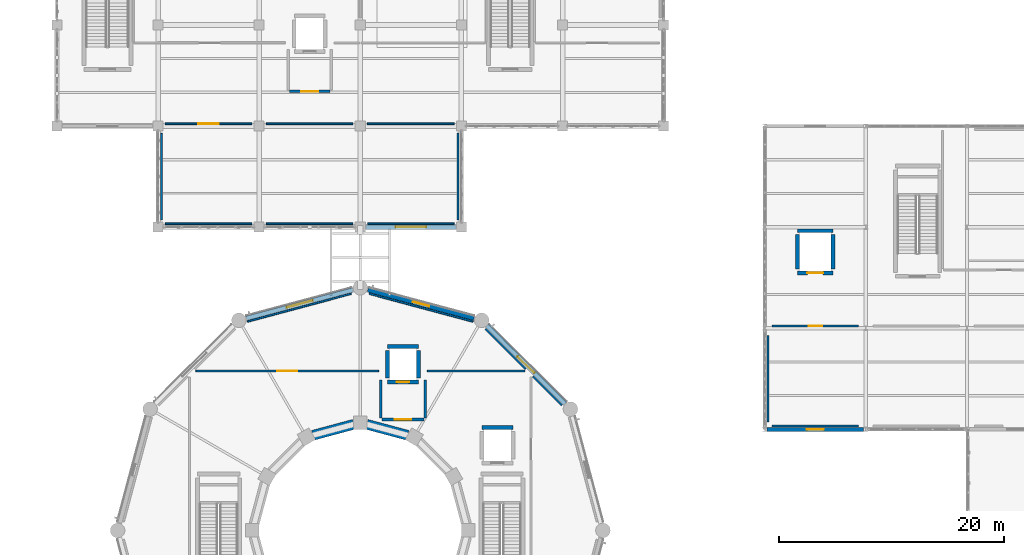
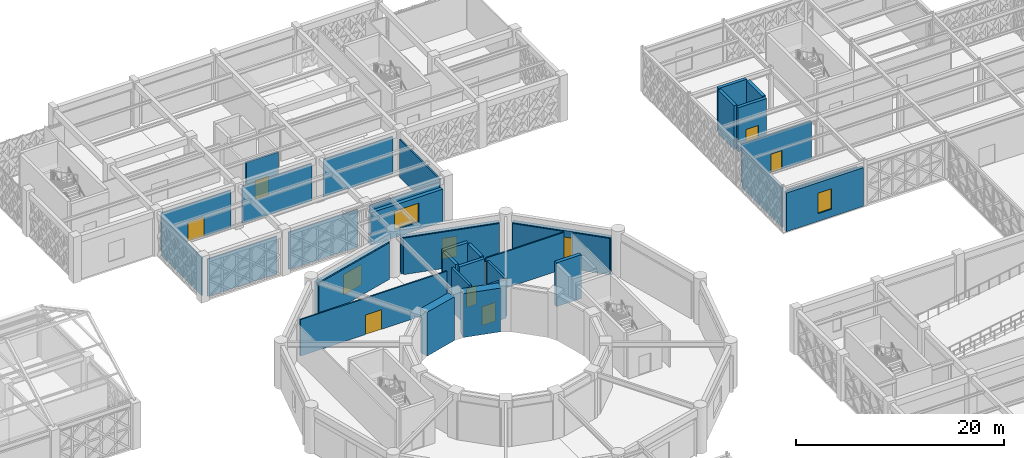
# One storey, part 144 of 166: 37 walls, 7 doors, 5 windows, 12 openings.
"""IFC4 building model written with IfcOpenShell, lengths in metres."""

from ifc_helpers import new_model, si_unit, direction, frame, frame_2d, origin, place, context, subcontext, project, spatial, rectangle, extrude, material, layer, layer_set, type_object, element, fill, save


model = new_model("IFC4")

# Units and contexts
model_context = context("Model", 3, precision=1e-05, world=origin(), true_north=direction((0.0, 1.0)))
body_context = subcontext(model_context, "Body", "Model", "MODEL_VIEW")
ifc_project = project(units=[si_unit("LENGTHUNIT", "METRE"), si_unit("AREAUNIT", "SQUARE_METRE"), si_unit("VOLUMEUNIT", "CUBIC_METRE"), si_unit("PLANEANGLEUNIT", "RADIAN"), si_unit("MASSUNIT", "GRAM", prefix="KILO")], contexts=[model_context])

# Site, building, storey
site_placement = place(None, origin())
site = spatial("IfcSite", under=ifc_project, at=site_placement, CompositionType="ELEMENT")
building_placement = place(site_placement, origin())
building = spatial("IfcBuilding", under=site, at=building_placement, Name="Haizhuo Lancet Aquarium", CompositionType="ELEMENT")
storey_placement = place(building_placement, frame((0.0, 0.0, 5.39990234375)))
storey = spatial("IfcBuildingStorey", under=building, at=storey_placement, Name="L01", CompositionType="ELEMENT", Elevation=5.39990234375)

# Wall, opening, window
ifc_material_1 = material(Name="Shandong Grey Limestone Ashlar", Category="masonry")
ifc_layer_1 = layer(ifc_material_1, 0.360107421875)
ifc_layer_set_1 = layer_set([ifc_layer_1], Name="Shandong Grey Limestone Ashlar")
wall_type_1 = type_object("IfcWallType", Name="EWL-ASH-360", PredefinedType="SOLIDWALL", material=ifc_layer_set_1)
wall_1_placement = place(storey_placement, frame((44.780029296875, 9.0, 0.0), z_axis=(0.0, 0.0, 1.0), x_axis=(-1.0, 0.0, 0.0)))
wall_1 = element("IfcWall", 1, at=wall_1_placement, inside=storey, type_object=wall_type_1, Name="L01 V7 limestone facade wall 113", PredefinedType="SOLIDWALL", context=body_context, shape_type="SweptSolid", body=[
    extrude(rectangle(XDim=8.56005859375, YDim=0.360107421875, at=frame_2d((4.280029296875, 0.0))), origin(), (0.0, 0.0, 1.0), 4.537109375),
])
opening_1_placement = place(wall_1_placement, frame((3.530029296875, 0.0, 0.89990234375)))
opening_1 = element("IfcOpeningElement", 2, at=opening_1_placement, cuts=wall_1, Name="Opening WN-04", PredefinedType="OPENING", context=body_context, shape_type="SweptSolid", body=[
    extrude(rectangle(XDim=1.5, YDim=2.39990234375, at=frame_2d((0.75, 1.199951171875))), frame((0.0, 0.18994140625, 0.0), z_axis=(0.0, -1.0, 0.0), x_axis=(1.0, 0.0, 0.0)), (0.0, 0.0, 1.0), 0.380107),
])
ifc_material_2 = material(Name="Laminated Low-E Glass", Category="glass")
window_type_1 = type_object("IfcWindowType", Name="WIN-LAN-1500x2400", PartitioningType="SINGLE_PANEL", PredefinedType="WINDOW", material=ifc_material_2)
window_1_placement = place(opening_1_placement, origin())
window_1 = element("IfcWindow", 3, at=window_1_placement, inside=storey, type_object=window_type_1, Name="L01 V7 lancet window 85", OverallHeight=2.39990234375, OverallWidth=1.5, PartitioningType="SINGLE_PANEL", PredefinedType="WINDOW", context=body_context, shape_type="SweptSolid", body=[
    extrude(rectangle(XDim=1.5, YDim=2.39990234375, at=frame_2d((0.75, 1.199951171875))), frame((0.0, 0.030029296875, 0.0), z_axis=(0.0, -1.0, 0.0), x_axis=(1.0, 0.0, 0.0)), (0.0, 0.0, 1.0), 0.06005859375),
])
fill(opening_1, window_1)

ifc_layer_2 = layer(ifc_material_1, 0.39990234375)
ifc_layer_set_2 = layer_set([ifc_layer_2], Name="Shandong Grey Limestone Ashlar")
wall_type_2 = type_object("IfcWallType", Name="EWL-ASH-400", PredefinedType="SOLIDWALL", material=ifc_layer_set_2)
wall_2_placement = place(storey_placement, frame((11.291015625, 18.215087890625, 0.0), z_axis=(0.0, 0.0, 1.0), x_axis=(0.707106781187, -0.707106781187, 0.0)))
wall_2 = element("IfcWall", 4, at=wall_2_placement, inside=storey, type_object=wall_type_2, Name="L01 V1 limestone drum wall bay 2", PredefinedType="SOLIDWALL", context=body_context, shape_type="SweptSolid", body=[
    extrude(rectangle(XDim=9.792236328125, YDim=0.39990234375, at=frame_2d((4.89599609375, 0.0))), origin(), (0.0, 0.0, 1.0), 4.275146484375),
])
opening_2_placement = place(wall_2_placement, frame((3.845947265625, 0.0, 0.89990234375)))
opening_2 = element("IfcOpeningElement", 5, at=opening_2_placement, cuts=wall_2, Name="Opening WN-07", PredefinedType="OPENING", context=body_context, shape_type="SweptSolid", body=[
    extrude(rectangle(XDim=2.10009765625, YDim=2.60009765625, at=frame_2d((1.050048828125, 1.300048828125))), frame((0.0, 0.2099609375, 0.0), z_axis=(0.0, -1.0, 0.0), x_axis=(1.0, 0.0, 0.0)), (0.0, 0.0, 1.0), 0.419902),
])
window_type_2 = type_object("IfcWindowType", Name="WIN-LAN-2100x2600", PartitioningType="SINGLE_PANEL", PredefinedType="WINDOW", material=ifc_material_2)
window_2_placement = place(opening_2_placement, origin())
window_2 = element("IfcWindow", 6, at=window_2_placement, inside=storey, type_object=window_type_2, Name="L01 Gothic lancet window 10", OverallHeight=2.60009765625, OverallWidth=2.10009765625, PartitioningType="SINGLE_PANEL", PredefinedType="WINDOW", context=body_context, shape_type="SweptSolid", body=[
    extrude(rectangle(XDim=2.10009765625, YDim=2.60009765625, at=frame_2d((1.050048828125, 1.300048828125))), frame((0.0, 0.030029296875, 0.0), z_axis=(0.0, -1.0, 0.0), x_axis=(1.0, 0.0, 0.0)), (0.0, 0.0, 1.0), 0.06005859375),
])
fill(opening_2, window_2)

wall_3_placement = place(storey_placement, frame((0.6708984375, 21.419921875, 0.0), z_axis=(0.0, 0.0, 1.0), x_axis=(0.965934251614, -0.258787599316, 0.0)))
wall_3 = element("IfcWall", 7, at=wall_3_placement, inside=storey, type_object=wall_type_2, Name="L01 V1 limestone drum wall bay 3", PredefinedType="SOLIDWALL", context=body_context, shape_type="SweptSolid", body=[
    extrude(rectangle(XDim=9.79150390625, YDim=0.39990234375, at=frame_2d((4.895751953125, 0.0))), origin(), (0.0, 0.0, 1.0), 4.275146484375),
])
opening_3_placement = place(wall_3_placement, frame((4.14599609375, 0.0, 0.89990234375)))
opening_3 = element("IfcOpeningElement", 8, at=opening_3_placement, cuts=wall_3, Name="Opening WN-04", PredefinedType="OPENING", context=body_context, shape_type="SweptSolid", body=[
    extrude(rectangle(XDim=1.5, YDim=2.39990234375, at=frame_2d((0.75, 1.199951171875))), frame((0.0, 0.2099609375, 0.0), z_axis=(0.0, -1.0, 0.0), x_axis=(1.0, 0.0, 0.0)), (0.0, 0.0, 1.0), 0.419902),
])
window_3_placement = place(opening_3_placement, origin())
window_3 = element("IfcWindow", 9, at=window_3_placement, inside=storey, type_object=window_type_1, Name="L01 Gothic lancet window 11", OverallHeight=2.39990234375, OverallWidth=1.5, PartitioningType="SINGLE_PANEL", PredefinedType="WINDOW", context=body_context, shape_type="SweptSolid", body=[
    extrude(rectangle(XDim=1.5, YDim=2.39990234375, at=frame_2d((0.75, 1.199951171875))), frame((0.0, 0.030029296875, 0.0), z_axis=(0.0, -1.0, 0.0), x_axis=(1.0, 0.0, 0.0)), (0.0, 0.0, 1.0), 0.06005859375),
])
fill(opening_3, window_3)

wall_4_placement = place(storey_placement, frame((-10.12890625, 18.885986328125, 0.0), z_axis=(0.0, 0.0, 1.0), x_axis=(0.965934251614, 0.258787599316, 0.0)))
wall_4 = element("IfcWall", 10, at=wall_4_placement, inside=storey, type_object=wall_type_2, Name="L01 V1 limestone drum wall bay 4", PredefinedType="SOLIDWALL", context=body_context, shape_type="SweptSolid", body=[
    extrude(rectangle(XDim=9.79150390625, YDim=0.39990234375, at=frame_2d((4.895751953125, 0.0))), origin(), (0.0, 0.0, 1.0), 4.275146484375),
])
opening_4_placement = place(wall_4_placement, frame((3.696044921875, 0.0, 0.89990234375)))
opening_4 = element("IfcOpeningElement", 11, at=opening_4_placement, cuts=wall_4, Name="Opening WN-08", PredefinedType="OPENING", context=body_context, shape_type="SweptSolid", body=[
    extrude(rectangle(XDim=2.39990234375, YDim=2.39990234375, at=frame_2d((1.199951171875, 1.199951171875))), frame((0.0, 0.2099609375, 0.0), z_axis=(0.0, -1.0, 0.0), x_axis=(1.0, 0.0, 0.0)), (0.0, 0.0, 1.0), 0.419902),
])
window_type_3 = type_object("IfcWindowType", Name="WIN-LAN-2400x2400", PartitioningType="SINGLE_PANEL", PredefinedType="WINDOW", material=ifc_material_2)
window_4_placement = place(opening_4_placement, origin())
window_4 = element("IfcWindow", 12, at=window_4_placement, inside=storey, type_object=window_type_3, Name="L01 Gothic lancet window 12", OverallHeight=2.39990234375, OverallWidth=2.39990234375, PartitioningType="SINGLE_PANEL", PredefinedType="WINDOW", context=body_context, shape_type="SweptSolid", body=[
    extrude(rectangle(XDim=2.39990234375, YDim=2.39990234375, at=frame_2d((1.199951171875, 1.199951171875))), frame((0.0, 0.030029296875, 0.0), z_axis=(0.0, -1.0, 0.0), x_axis=(1.0, 0.0, 0.0)), (0.0, 0.0, 1.0), 0.06005859375),
])
fill(opening_4, window_4)

wall_5_placement = place(storey_placement, frame((8.5048828125, 27.0, 0.0), z_axis=(0.0, 0.0, 1.0), x_axis=(-1.0, 0.0, 0.0)))
wall_5 = element("IfcWall", 13, at=wall_5_placement, inside=storey, type_object=wall_type_2, Name="L01 V5 limestone facade wall 92", PredefinedType="SOLIDWALL", context=body_context, shape_type="SweptSolid", body=[
    extrude(rectangle(XDim=8.009765625, YDim=0.39990234375, at=frame_2d((4.0048828125, 0.0))), origin(), (0.0, 0.0, 1.0), 3.815185546875),
])
opening_5_placement = place(wall_5_placement, frame((2.655029296875, 0.0, 0.89990234375)))
opening_5 = element("IfcOpeningElement", 14, at=opening_5_placement, cuts=wall_5, Name="Opening WN-09", PredefinedType="OPENING", context=body_context, shape_type="SweptSolid", body=[
    extrude(rectangle(XDim=2.699951171875, YDim=2.199951171875, at=frame_2d((1.35009765625, 1.10009765625))), frame((0.0, 0.2099609375, 0.0), z_axis=(0.0, -1.0, 0.0), x_axis=(1.0, 0.0, 0.0)), (0.0, 0.0, 1.0), 0.419902),
])
window_type_4 = type_object("IfcWindowType", Name="WIN-LAN-2700x2200", PartitioningType="SINGLE_PANEL", PredefinedType="WINDOW", material=ifc_material_2)
window_5_placement = place(opening_5_placement, origin())
window_5 = element("IfcWindow", 15, at=window_5_placement, inside=storey, type_object=window_type_4, Name="L01 V5 lancet window 70", OverallHeight=2.199951171875, OverallWidth=2.699951171875, PartitioningType="SINGLE_PANEL", PredefinedType="WINDOW", context=body_context, shape_type="SweptSolid", body=[
    extrude(rectangle(XDim=2.699951171875, YDim=2.199951171875, at=frame_2d((1.35009765625, 1.10009765625))), frame((0.0, 0.030029296875, 0.0), z_axis=(0.0, -1.0, 0.0), x_axis=(1.0, 0.0, 0.0)), (0.0, 0.0, 1.0), 0.06005859375),
])
fill(opening_5, window_5)

# Wall, opening, door
ifc_material_3 = material(Name="Concrete C40/50", Category="concrete")
ifc_layer_3 = layer(ifc_material_3, 0.239990234375)
ifc_layer_set_3 = layer_set([ifc_layer_3], Name="Concrete C40/50")
wall_type_3 = type_object("IfcWallType", Name="IWL-FIRE-240", PredefinedType="PARTITIONING", material=ifc_layer_set_3)
wall_6_placement = place(storey_placement, frame((1.949951171875, 9.8798828125, 0.0), z_axis=(0.0, 0.0, 1.0), x_axis=(1.0, 0.0, 0.0)))
wall_6 = element("IfcWall", 16, at=wall_6_placement, inside=storey, type_object=wall_type_3, Name="L01 LF-01 firefighting lift lobby firewall S", PredefinedType="PARTITIONING", context=body_context, shape_type="SweptSolid", body=[
    extrude(rectangle(XDim=3.699951171875, YDim=0.239990234375, at=frame_2d((1.85009765625, 0.0))), origin(), (0.0, 0.0, 1.0), 4.525146484375),
])
opening_6_placement = place(wall_6_placement, frame((1.10009765625, 0.0, 0.0)))
opening_6 = element("IfcOpeningElement", 17, at=opening_6_placement, cuts=wall_6, Name="Opening FD-03", PredefinedType="OPENING", context=body_context, shape_type="SweptSolid", body=[
    extrude(rectangle(XDim=1.5, YDim=2.199951171875, at=frame_2d((0.75, 1.10009765625))), frame((0.0, 0.1298828125, 0.0), z_axis=(0.0, -1.0, 0.0), x_axis=(1.0, 0.0, 0.0)), (0.0, 0.0, 1.0), 0.25999),
])
ifc_material_4 = material(Name="Steel S355", Category="steel")
door_type_1 = type_object("IfcDoorType", Name="IDR-FFL-1500x2200", OperationType="NOTDEFINED", PredefinedType="DOOR", material=ifc_material_4)
door_1_placement = place(opening_6_placement, origin())
door_1 = element("IfcDoor", 18, at=door_1_placement, inside=storey, type_object=door_type_1, Name="L01 LF-01 firefighting lift lobby door", OperationType="SINGLE_SWING_LEFT", OverallHeight=2.199951171875, OverallWidth=1.5, PredefinedType="DOOR", context=body_context, shape_type="SweptSolid", body=[
    extrude(rectangle(XDim=1.5, YDim=2.199951171875, at=frame_2d((0.75, 1.10009765625))), frame((0.0, 0.02490234375, 0.0), z_axis=(0.0, -1.0, 0.0), x_axis=(1.0, 0.0, 0.0)), (0.0, 0.0, 1.0), 0.050048828125),
])
fill(opening_6, door_1)

# Walls
wall_7_placement = place(storey_placement, frame((1.830078125, 10.0, 0.0), z_axis=(0.0, 0.0, 1.0), x_axis=(0.0, 1.0, 0.0)))
element("IfcWall", 19, at=wall_7_placement, inside=storey, type_object=wall_type_3, Name="L01 LF-01 firefighting lift lobby firewall W", PredefinedType="PARTITIONING", context=body_context, shape_type="SweptSolid", body=[
    extrude(rectangle(XDim=3.39990234375, YDim=0.239990234375, at=frame_2d((1.699951171875, 0.0))), origin(), (0.0, 0.0, 1.0), 5.10009765625),
])
wall_8_placement = place(storey_placement, frame((5.77001953125, 10.0, 0.0), z_axis=(0.0, 0.0, 1.0), x_axis=(0.0, 1.0, 0.0)))
element("IfcWall", 20, at=wall_8_placement, inside=storey, type_object=wall_type_3, Name="L01 LF-01 firefighting lift lobby firewall E", PredefinedType="PARTITIONING", context=body_context, shape_type="SweptSolid", body=[
    extrude(rectangle(XDim=3.39990234375, YDim=0.239990234375, at=frame_2d((1.699951171875, 0.0))), origin(), (0.0, 0.0, 1.0), 4.525146484375),
])

# Wall, opening, door
wall_9_placement = place(storey_placement, frame((-6.300048828125, 39.080078125, 0.0), z_axis=(0.0, 0.0, 1.0), x_axis=(1.0, 0.0, 0.0)))
wall_9 = element("IfcWall", 21, at=wall_9_placement, inside=storey, type_object=wall_type_3, Name="L01 LF-02 protected lift lobby firewall S", PredefinedType="PARTITIONING", context=body_context, shape_type="SweptSolid", body=[
    extrude(rectangle(XDim=3.60009765625, YDim=0.239990234375, at=frame_2d((1.800048828125, 0.0))), origin(), (0.0, 0.0, 1.0), 4.72509765625),
])
opening_7_placement = place(wall_9_placement, frame((1.050048828125, 0.0, 0.0)))
opening_7 = element("IfcOpeningElement", 22, at=opening_7_placement, cuts=wall_9, Name="Opening FD-03", PredefinedType="OPENING", context=body_context, shape_type="SweptSolid", body=[
    extrude(rectangle(XDim=1.5, YDim=2.199951171875, at=frame_2d((0.75, 1.10009765625))), frame((0.0, 0.1298828125, 0.0), z_axis=(0.0, -1.0, 0.0), x_axis=(1.0, 0.0, 0.0)), (0.0, 0.0, 1.0), 0.25999),
])
door_2_placement = place(opening_7_placement, origin())
door_2 = element("IfcDoor", 23, at=door_2_placement, inside=storey, type_object=door_type_1, Name="L01 LF-02 protected lift lobby door", OperationType="SINGLE_SWING_RIGHT", OverallHeight=2.199951171875, OverallWidth=1.5, PredefinedType="DOOR", context=body_context, shape_type="SweptSolid", body=[
    extrude(rectangle(XDim=1.5, YDim=2.199951171875, at=frame_2d((0.75, 1.10009765625))), frame((0.0, 0.02490234375, 0.0), z_axis=(0.0, -1.0, 0.0), x_axis=(1.0, 0.0, 0.0)), (0.0, 0.0, 1.0), 0.050048828125),
])
fill(opening_7, door_2)

# Wall
ifc_layer_4 = layer(ifc_material_3, 0.179931640625)
ifc_layer_set_4 = layer_set([ifc_layer_4], Name="Concrete C40/50")
wall_type_4 = type_object("IfcWallType", Name="IWL-LAB-180", PredefinedType="PARTITIONING", material=ifc_layer_set_4)
wall_10_placement = place(storey_placement, frame((36.64990234375, 9.300048828125, 0.0), z_axis=(0.0, 0.0, 1.0), x_axis=(1.0, 0.0, 0.0)))
element("IfcWall", 24, at=wall_10_placement, inside=storey, type_object=wall_type_4, Name="L01 partition wall 323", PredefinedType="PARTITIONING", context=body_context, shape_type="SweptSolid", body=[
    extrude(rectangle(XDim=7.7001953125, YDim=0.179931640625, at=frame_2d((3.85009765625, 0.0))), origin(), (0.0, 0.0, 1.0), 4.537109375),
])

# Wall, opening, door
wall_11_placement = place(storey_placement, frame((44.360107421875, 18.199951171875, 0.0), z_axis=(0.0, 0.0, 1.0), x_axis=(-0.999999967998, -0.000252988418, 0.0)))
wall_11 = element("IfcWall", 25, at=wall_11_placement, inside=storey, type_object=wall_type_4, Name="L01 partition wall 334", PredefinedType="PARTITIONING", context=body_context, shape_type="SweptSolid", body=[
    extrude(rectangle(XDim=7.72021484375, YDim=0.179931640625, at=frame_2d((3.860107421875, 0.0))), origin(), (0.0, 0.0, 1.0), 4.537109375),
])
opening_8_placement = place(wall_11_placement, frame((3.260009765625, 0.0, 0.0)))
opening_8 = element("IfcOpeningElement", 26, at=opening_8_placement, cuts=wall_11, Name="Opening D-04", PredefinedType="OPENING", context=body_context, shape_type="SweptSolid", body=[
    extrude(rectangle(XDim=1.199951171875, YDim=2.199951171875, at=frame_2d((0.60009765625, 1.10009765625))), frame((0.0, 0.099853515625, 0.0), z_axis=(0.0, -1.0, 0.0), x_axis=(1.0, 0.0, 0.0)), (0.0, 0.0, 1.0), 0.199932),
])
door_type_2 = type_object("IfcDoorType", Name="IDR-LAB-1200x2200", OperationType="NOTDEFINED", PredefinedType="DOOR", material=ifc_material_4)
door_3_placement = place(opening_8_placement, origin())
door_3 = element("IfcDoor", 27, at=door_3_placement, inside=storey, type_object=door_type_2, Name="L01 Secondary Life Support Filtration Hall door", OperationType="SINGLE_SWING_RIGHT", OverallHeight=2.199951171875, OverallWidth=1.199951171875, PredefinedType="DOOR", context=body_context, shape_type="SweptSolid", body=[
    extrude(rectangle(XDim=1.199951171875, YDim=2.199951171875, at=frame_2d((0.60009765625, 1.10009765625))), frame((0.0, 0.02490234375, 0.0), z_axis=(0.0, -1.0, 0.0), x_axis=(1.0, 0.0, 0.0)), (0.0, 0.0, 1.0), 0.050048828125),
])
fill(opening_8, door_3)

# Walls
wall_12_placement = place(storey_placement, frame((36.300048828125, 17.35009765625, 0.0), z_axis=(0.0, 0.0, 1.0), x_axis=(0.0, -1.0, 0.0)))
element("IfcWall", 28, at=wall_12_placement, inside=storey, type_object=wall_type_4, Name="L01 partition wall 335", PredefinedType="PARTITIONING", context=body_context, shape_type="SweptSolid", body=[
    extrude(rectangle(XDim=7.7001953125, YDim=0.179931640625, at=frame_2d((3.85009765625, 0.0))), origin(), (0.0, 0.0, 1.0), 4.63720703125),
])
ifc_material_5 = material(Name="Gypsum Fireboard Partition")
ifc_layer_5 = layer(ifc_material_5, 0.14990234375)
ifc_layer_set_5 = layer_set([ifc_layer_5], Name="Gypsum Fireboard Partition")
wall_type_5 = type_object("IfcWallType", Name="IWL-STD-150", PredefinedType="PARTITIONING", material=ifc_layer_set_5)
wall_13_placement = place(storey_placement, frame((17.946044921875, 11.135009765625, 0.0), z_axis=(0.0, 0.0, 1.0), x_axis=(-0.706972707094, 0.707240829862, 0.0)))
element("IfcWall", 29, at=wall_13_placement, inside=storey, type_object=wall_type_5, Name="L01 partition wall 219", PredefinedType="PARTITIONING", context=body_context, shape_type="SweptSolid", body=[
    extrude(rectangle(XDim=3.642333984375, YDim=0.14990234375, at=frame_2d((1.8212890625, 0.0))), origin(), (0.0, 0.0, 1.0), 4.275146484375),
])

# Wall, opening, door
wall_14_placement = place(storey_placement, frame((-14.639892578125, 14.199951171875, 0.0), z_axis=(0.0, 0.0, 1.0), x_axis=(1.0, 0.0, 0.0)))
wall_14 = element("IfcWall", 30, at=wall_14_placement, inside=storey, type_object=wall_type_5, Name="L01 partition wall 228", PredefinedType="PARTITIONING", context=body_context, shape_type="SweptSolid", body=[
    extrude(rectangle(XDim=16.264892578125, YDim=0.14990234375, at=frame_2d((8.13232421875, 0.0))), origin(), (0.0, 0.0, 1.0), 4.275146484375),
])
opening_9_placement = place(wall_14_placement, frame((7.23193359375, 0.0, 0.0)))
opening_9 = element("IfcOpeningElement", 31, at=opening_9_placement, cuts=wall_14, Name="Opening D-02", PredefinedType="OPENING", context=body_context, shape_type="SweptSolid", body=[
    extrude(rectangle(XDim=1.800048828125, YDim=2.300048828125, at=frame_2d((0.89990234375, 1.14990234375))), frame((0.0, 0.0849609375, 0.0), z_axis=(0.0, -1.0, 0.0), x_axis=(1.0, 0.0, 0.0)), (0.0, 0.0, 1.0), 0.169902),
])
ifc_material_6 = material(Name="Aluminium 6063-T6", Category="aluminium")
door_type_3 = type_object("IfcDoorType", Name="IDR-GAL-1800x2300", OperationType="NOTDEFINED", PredefinedType="DOOR", material=ifc_material_6)
door_4_placement = place(opening_9_placement, origin())
door_4 = element("IfcDoor", 32, at=door_4_placement, inside=storey, type_object=door_type_3, Name="L01 Ocean Tank Reef Viewing Deck door", OperationType="DOUBLE_DOOR_SINGLE_SWING", OverallHeight=2.300048828125, OverallWidth=1.800048828125, PredefinedType="DOOR", context=body_context, shape_type="SweptSolid", body=[
    extrude(rectangle(XDim=1.800048828125, YDim=2.300048828125, at=frame_2d((0.89990234375, 1.14990234375))), frame((0.0, 0.02490234375, 0.0), z_axis=(0.0, -1.0, 0.0), x_axis=(1.0, 0.0, 0.0)), (0.0, 0.0, 1.0), 0.050048828125),
])
fill(opening_9, door_4)

# Walls
wall_15_placement = place(storey_placement, frame((5.97509765625, 14.201904296875, 0.0), z_axis=(0.0, 0.0, 1.0), x_axis=(0.999999974595, -0.000225409253, 0.0)))
element("IfcWall", 33, at=wall_15_placement, inside=storey, type_object=wall_type_5, Name="L01 partition wall 229", PredefinedType="PARTITIONING", context=body_context, shape_type="SweptSolid", body=[
    extrude(rectangle(XDim=8.664794921875, YDim=0.14990234375, at=frame_2d((4.33251953125, 0.0))), origin(), (0.0, 0.0, 1.0), 4.275146484375),
])
wall_16_placement = place(storey_placement, frame((14.7109375, 14.37109375, 0.0), z_axis=(0.0, 0.0, 1.0), x_axis=(-0.707203340899, 0.707010208287, 0.0)))
element("IfcWall", 34, at=wall_16_placement, inside=storey, type_object=wall_type_5, Name="L01 partition wall 230", PredefinedType="PARTITIONING", context=body_context, shape_type="SweptSolid", body=[
    extrude(rectangle(XDim=5.056396484375, YDim=0.14990234375, at=frame_2d((2.5283203125, 0.0))), origin(), (0.0, 0.0, 1.0), 4.275146484375),
])
wall_17_placement = place(storey_placement, frame((10.0400390625, 18.596923828125, 0.0), z_axis=(0.0, 0.0, 1.0), x_axis=(-0.965872416838, 0.259018289684, 0.0)))
element("IfcWall", 35, at=wall_17_placement, inside=storey, type_object=wall_type_5, Name="L01 partition wall 231", PredefinedType="PARTITIONING", context=body_context, shape_type="SweptSolid", body=[
    extrude(rectangle(XDim=9.57080078125, YDim=0.14990234375, at=frame_2d((4.785400390625, 0.0))), origin(), (0.0, 0.0, 1.0), 4.275146484375),
])
wall_18_placement = place(storey_placement, frame((-0.805908203125, 21.072998046875, 0.0), z_axis=(0.0, 0.0, 1.0), x_axis=(-0.965936310931, -0.258779912716, 0.0)))
element("IfcWall", 36, at=wall_18_placement, inside=storey, type_object=wall_type_5, Name="L01 partition wall 232", PredefinedType="PARTITIONING", context=body_context, shape_type="SweptSolid", body=[
    extrude(rectangle(XDim=9.559814453125, YDim=0.14990234375, at=frame_2d((4.77978515625, 0.0))), origin(), (0.0, 0.0, 1.0), 4.275146484375),
])
for number, where, z_axis, x_axis, name in (
    (37, (-17.35009765625, 27.300048828125, 0.0), (0.0, 0.0, 1.0), (1.0, 0.0, 0.0), "L01 partition wall 298"),
    (38, (-8.35009765625, 27.300048828125, 0.0), (0.0, 0.0, 1.0), (1.0, 0.0, 0.0), "L01 partition wall 299"),
):
    element("IfcWall", number, at=place(storey_placement, frame(where, z_axis=z_axis, x_axis=x_axis)), inside=storey, type_object=wall_type_5, Name=name, PredefinedType="PARTITIONING", context=body_context, shape_type="SweptSolid", body=[
        extrude(rectangle(XDim=7.7001953125, YDim=0.14990234375, at=frame_2d((3.85009765625, 0.0))), origin(), (0.0, 0.0, 1.0), 4.375),
    ])
wall_19_placement = place(storey_placement, frame((0.64990234375, 27.300048828125, 0.0), z_axis=(0.0, 0.0, 1.0), x_axis=(0.999999871661, 0.00050663367, 0.0)))
element("IfcWall", 39, at=wall_19_placement, inside=storey, type_object=wall_type_5, Name="L01 partition wall 300", PredefinedType="PARTITIONING", context=body_context, shape_type="SweptSolid", body=[
    extrude(rectangle(XDim=7.710205078125, YDim=0.14990234375, at=frame_2d((3.85498046875, 0.0))), origin(), (0.0, 0.0, 1.0), 4.375),
])
wall_20_placement = place(storey_placement, frame((8.699951171875, 27.64990234375, 0.0), z_axis=(0.0, 0.0, 1.0), x_axis=(-0.00050663367, 0.999999871661, 0.0)))
element("IfcWall", 40, at=wall_20_placement, inside=storey, type_object=wall_type_5, Name="L01 partition wall 301", PredefinedType="PARTITIONING", context=body_context, shape_type="SweptSolid", body=[
    extrude(rectangle(XDim=7.710205078125, YDim=0.14990234375, at=frame_2d((3.85498046875, 0.0))), origin(), (0.0, 0.0, 1.0), 4.425048828125),
])
for number, where, z_axis, x_axis, name in (
    (41, (8.35009765625, 36.199951171875, 0.0), (0.0, 0.0, 1.0), (-1.0, 0.0, 0.0), "L01 partition wall 302"),
    (42, (-0.64990234375, 36.199951171875, 0.0), (0.0, 0.0, 1.0), (-1.0, 0.0, 0.0), "L01 partition wall 303"),
):
    element("IfcWall", number, at=place(storey_placement, frame(where, z_axis=z_axis, x_axis=x_axis)), inside=storey, type_object=wall_type_5, Name=name, PredefinedType="PARTITIONING", context=body_context, shape_type="SweptSolid", body=[
        extrude(rectangle(XDim=7.710205078125, YDim=0.14990234375, at=frame_2d((3.85498046875, 0.0))), origin(), (0.0, 0.0, 1.0), 4.375),
    ])

# Wall, opening, door
wall_21_placement = place(storey_placement, frame((-9.639892578125, 36.199951171875, 0.0), z_axis=(0.0, 0.0, 1.0), x_axis=(-0.999999871994, -0.000505976787, 0.0)))
wall_21 = element("IfcWall", 43, at=wall_21_placement, inside=storey, type_object=wall_type_5, Name="L01 partition wall 304", PredefinedType="PARTITIONING", context=body_context, shape_type="SweptSolid", body=[
    extrude(rectangle(XDim=7.72021484375, YDim=0.14990234375, at=frame_2d((3.860107421875, 0.0))), origin(), (0.0, 0.0, 1.0), 4.375),
])
opening_10_placement = place(wall_21_placement, frame((2.9599609375, 0.0, 0.0)))
opening_10 = element("IfcOpeningElement", 44, at=opening_10_placement, cuts=wall_21, Name="Opening D-02", PredefinedType="OPENING", context=body_context, shape_type="SweptSolid", body=[
    extrude(rectangle(XDim=1.800048828125, YDim=2.300048828125, at=frame_2d((0.89990234375, 1.14990234375))), frame((0.0, 0.0849609375, 0.0), z_axis=(0.0, -1.0, 0.0), x_axis=(1.0, 0.0, 0.0)), (0.0, 0.0, 1.0), 0.169902),
])
door_5_placement = place(opening_10_placement, origin())
door_5 = element("IfcDoor", 45, at=door_5_placement, inside=storey, type_object=door_type_3, Name="L01 North Court Overlook Gallery door", OperationType="DOUBLE_DOOR_SINGLE_SWING", OverallHeight=2.300048828125, OverallWidth=1.800048828125, PredefinedType="DOOR", context=body_context, shape_type="SweptSolid", body=[
    extrude(rectangle(XDim=1.800048828125, YDim=2.300048828125, at=frame_2d((0.89990234375, 1.14990234375))), frame((0.0, 0.02490234375, 0.0), z_axis=(0.0, -1.0, 0.0), x_axis=(1.0, 0.0, 0.0)), (0.0, 0.0, 1.0), 0.050048828125),
])
fill(opening_10, door_5)

# Wall
wall_22_placement = place(storey_placement, frame((-17.699951171875, 35.35009765625, 0.0), z_axis=(0.0, 0.0, 1.0), x_axis=(0.0, -1.0, 0.0)))
element("IfcWall", 46, at=wall_22_placement, inside=storey, type_object=wall_type_5, Name="L01 partition wall 305", PredefinedType="PARTITIONING", context=body_context, shape_type="SweptSolid", body=[
    extrude(rectangle(XDim=7.7001953125, YDim=0.14990234375, at=frame_2d((3.85009765625, 0.0))), origin(), (0.0, 0.0, 1.0), 4.425048828125),
])

# Wall, opening, door
ifc_layer_6 = layer(ifc_material_3, 0.35009765625)
ifc_layer_set_6 = layer_set([ifc_layer_6], Name="Concrete C40/50")
wall_type_6 = type_object("IfcWallType", Name="WL-CORE-350", PredefinedType="SHEAR", material=ifc_layer_set_6)
wall_23_placement = place(storey_placement, frame((2.425048828125, 13.22509765625, 0.0), z_axis=(0.0, 0.0, 1.0), x_axis=(1.0, 0.0, 0.0)))
wall_23 = element("IfcWall", 47, at=wall_23_placement, inside=storey, type_object=wall_type_6, Name="L01 LF-01 lift shaft wall -Y", PredefinedType="SHEAR", context=body_context, shape_type="SweptSolid", body=[
    extrude(rectangle(XDim=2.75, YDim=0.35009765625, at=frame_2d((1.375, 0.0))), origin(), (0.0, 0.0, 1.0), 5.150146484375),
])
opening_11_placement = place(wall_23_placement, frame((0.824951171875, 0.0, 0.0)))
opening_11 = element("IfcOpeningElement", 48, at=opening_11_placement, cuts=wall_23, Name="Opening LD-01", PredefinedType="OPENING", context=body_context, shape_type="SweptSolid", body=[
    extrude(rectangle(XDim=1.10009765625, YDim=2.199951171875, at=frame_2d((0.550048828125, 1.10009765625))), frame((0.0, 0.18505859375, 0.0), z_axis=(0.0, -1.0, 0.0), x_axis=(1.0, 0.0, 0.0)), (0.0, 0.0, 1.0), 0.370098),
])
door_type_4 = type_object("IfcDoorType", Name="IDR-LIFT-1100x2200", OperationType="NOTDEFINED", PredefinedType="DOOR", material=ifc_material_4)
door_6_placement = place(opening_11_placement, origin())
door_6 = element("IfcDoor", 49, at=door_6_placement, inside=storey, type_object=door_type_4, Name="L01 LF-01 sliding lift landing door", OperationType="DOUBLE_DOOR_SLIDING", OverallHeight=2.199951171875, OverallWidth=1.10009765625, PredefinedType="DOOR", context=body_context, shape_type="SweptSolid", body=[
    extrude(rectangle(XDim=1.10009765625, YDim=2.199951171875, at=frame_2d((0.550048828125, 1.10009765625))), frame((0.0, 0.02490234375, 0.0), z_axis=(0.0, -1.0, 0.0), x_axis=(1.0, 0.0, 0.0)), (0.0, 0.0, 1.0), 0.050048828125),
])
fill(opening_11, door_6)

# Walls
wall_24_placement = place(storey_placement, frame((5.175048828125, 16.375, 0.0), z_axis=(0.0, 0.0, 1.0), x_axis=(-1.0, 0.0, 0.0)))
element("IfcWall", 50, at=wall_24_placement, inside=storey, type_object=wall_type_6, Name="L01 LF-01 lift shaft wall +Y", PredefinedType="SHEAR", context=body_context, shape_type="SweptSolid", body=[
    extrude(rectangle(XDim=2.75, YDim=0.35009765625, at=frame_2d((1.375, 0.0))), origin(), (0.0, 0.0, 1.0), 5.150146484375),
])
for number, where, z_axis, x_axis, name in (
    (51, (2.425048828125, 13.574951171875, 0.0), (0.0, 0.0, 1.0), (0.0, 1.0, 0.0), "L01 LF-01 lift shaft wall -X"),
    (52, (5.175048828125, 13.574951171875, 0.0), (0.0, 0.0, 1.0), (0.0, 1.0, 0.0), "L01 LF-01 lift shaft wall +X"),
):
    element("IfcWall", number, at=place(storey_placement, frame(where, z_axis=z_axis, x_axis=x_axis)), inside=storey, type_object=wall_type_6, Name=name, PredefinedType="SHEAR", context=body_context, shape_type="SweptSolid", body=[
        extrude(rectangle(XDim=2.449951171875, YDim=0.35009765625, at=frame_2d((1.22509765625, 0.0))), origin(), (0.0, 0.0, 1.0), 5.150146484375),
    ])
wall_25_placement = place(storey_placement, frame((13.574951171875, 9.175048828125, 0.0), z_axis=(0.0, 0.0, 1.0), x_axis=(-1.0, 0.0, 0.0)))
element("IfcWall", 53, at=wall_25_placement, inside=storey, type_object=wall_type_6, Name="L01 LP-01 lift shaft wall +Y", PredefinedType="SHEAR", context=body_context, shape_type="SweptSolid", body=[
    extrude(rectangle(XDim=2.75, YDim=0.35009765625, at=frame_2d((1.375, 0.0))), origin(), (0.0, 0.0, 1.0), 5.150146484375),
])

# Wall, opening, door
wall_26_placement = place(storey_placement, frame((38.925048828125, 22.925048828125, 0.0), z_axis=(0.0, 0.0, 1.0), x_axis=(1.0, 0.0, 0.0)))
wall_26 = element("IfcWall", 54, at=wall_26_placement, inside=storey, type_object=wall_type_6, Name="L01 LG-01 lift shaft wall -Y", PredefinedType="SHEAR", context=body_context, shape_type="SweptSolid", body=[
    extrude(rectangle(XDim=3.14990234375, YDim=0.35009765625, at=frame_2d((1.574951171875, 0.0))), origin(), (0.0, 0.0, 1.0), 5.150146484375),
])
opening_12_placement = place(wall_26_placement, frame((0.875, 0.0, 0.0)))
opening_12 = element("IfcOpeningElement", 55, at=opening_12_placement, cuts=wall_26, Name="Opening LD-02", PredefinedType="OPENING", context=body_context, shape_type="SweptSolid", body=[
    extrude(rectangle(XDim=1.39990234375, YDim=2.300048828125, at=frame_2d((0.699951171875, 1.14990234375))), frame((0.0, 0.18505859375, 0.0), z_axis=(0.0, -1.0, 0.0), x_axis=(1.0, 0.0, 0.0)), (0.0, 0.0, 1.0), 0.370098),
])
door_type_5 = type_object("IfcDoorType", Name="IDR-LIFT-1400x2300", OperationType="NOTDEFINED", PredefinedType="DOOR", material=ifc_material_4)
door_7_placement = place(opening_12_placement, origin())
door_7 = element("IfcDoor", 56, at=door_7_placement, inside=storey, type_object=door_type_5, Name="L01 LG-01 sliding lift landing door", OperationType="DOUBLE_DOOR_SLIDING", OverallHeight=2.300048828125, OverallWidth=1.39990234375, PredefinedType="DOOR", context=body_context, shape_type="SweptSolid", body=[
    extrude(rectangle(XDim=1.39990234375, YDim=2.300048828125, at=frame_2d((0.699951171875, 1.14990234375))), frame((0.0, 0.02490234375, 0.0), z_axis=(0.0, -1.0, 0.0), x_axis=(1.0, 0.0, 0.0)), (0.0, 0.0, 1.0), 0.050048828125),
])
fill(opening_12, door_7)

# Walls
wall_27_placement = place(storey_placement, frame((42.074951171875, 26.675048828125, 0.0), z_axis=(0.0, 0.0, 1.0), x_axis=(-1.0, 0.0, 0.0)))
element("IfcWall", 57, at=wall_27_placement, inside=storey, type_object=wall_type_6, Name="L01 LG-01 lift shaft wall +Y", PredefinedType="SHEAR", context=body_context, shape_type="SweptSolid", body=[
    extrude(rectangle(XDim=3.14990234375, YDim=0.35009765625, at=frame_2d((1.574951171875, 0.0))), origin(), (0.0, 0.0, 1.0), 5.150146484375),
])
for number, where, z_axis, x_axis, name in (
    (58, (38.925048828125, 23.27490234375, 0.0), (0.0, 0.0, 1.0), (0.0, 1.0, 0.0), "L01 LG-01 lift shaft wall -X"),
    (59, (42.074951171875, 23.27490234375, 0.0), (0.0, 0.0, 1.0), (0.0, 1.0, 0.0), "L01 LG-01 lift shaft wall +X"),
):
    element("IfcWall", number, at=place(storey_placement, frame(where, z_axis=z_axis, x_axis=x_axis)), inside=storey, type_object=wall_type_6, Name=name, PredefinedType="SHEAR", context=body_context, shape_type="SweptSolid", body=[
        extrude(rectangle(XDim=3.050048828125, YDim=0.35009765625, at=frame_2d((1.52490234375, 0.0))), origin(), (0.0, 0.0, 1.0), 5.150146484375),
    ])
ifc_material_7 = material(Name="Concrete C45/55", Category="concrete")
ifc_layer_7 = layer(ifc_material_7, 0.89990234375)
ifc_layer_set_7 = layer_set([ifc_layer_7], Name="Concrete C45/55")
wall_type_7 = type_object("IfcWallType", Name="WL-TANK-900", PredefinedType="SHEAR", material=ifc_layer_set_7)
for number, where, z_axis, x_axis, name in (
    (60, (4.219970703125, 8.468994140625, 0.0), (0.0, 0.0, 1.0), (-0.965874862682, 0.259009169026, 0.0), "L01 Pelagic Ocean Tank hydrostatic wall chord 3"),
    (61, (-0.580078125, 9.445068359375, 0.0), (0.0, 0.0, 1.0), (-0.965874862682, -0.259009169026, 0.0), "L01 Pelagic Ocean Tank hydrostatic wall chord 4"),
):
    element("IfcWall", number, at=place(storey_placement, frame(where, z_axis=z_axis, x_axis=x_axis)), inside=storey, type_object=wall_type_7, Name=name, PredefinedType="SHEAR", context=body_context, shape_type="SweptSolid", body=[
        extrude(rectangle(XDim=3.7685546875, YDim=0.89990234375, at=frame_2d((1.88427734375, 0.0))), origin(), (0.0, 0.0, 1.0), 5.14013671875),
    ])

save(model, "model.ifc")
